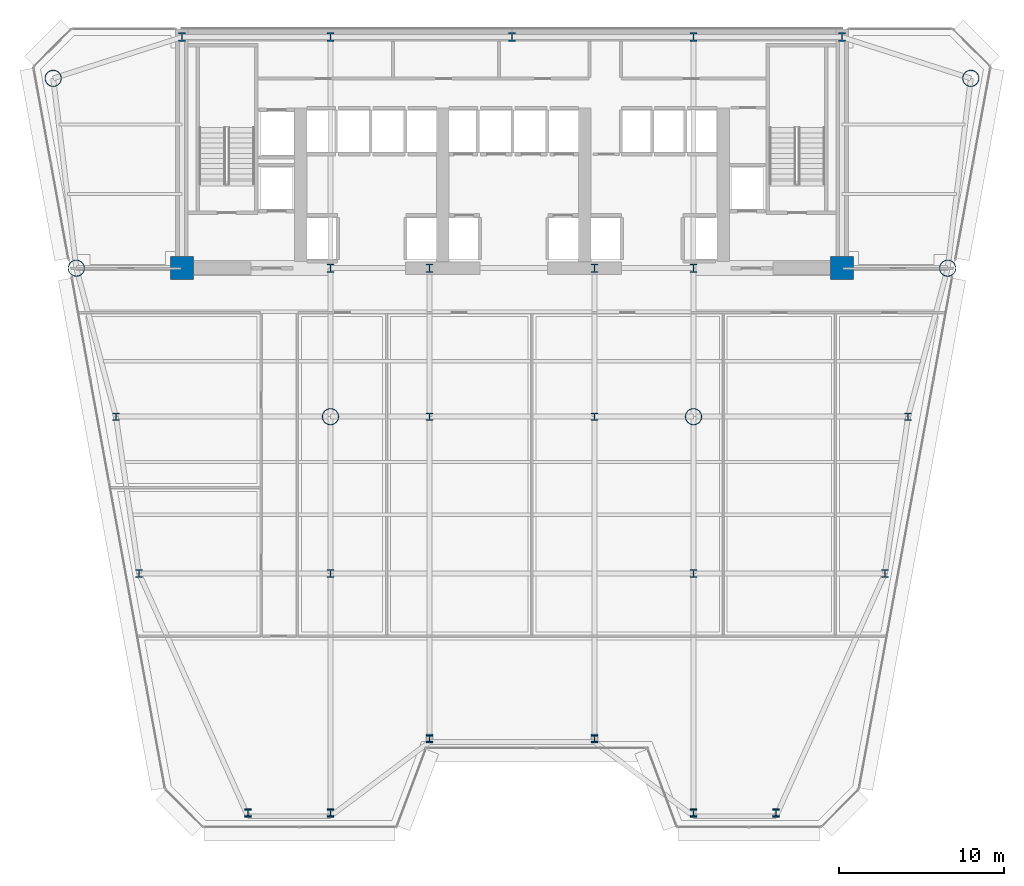
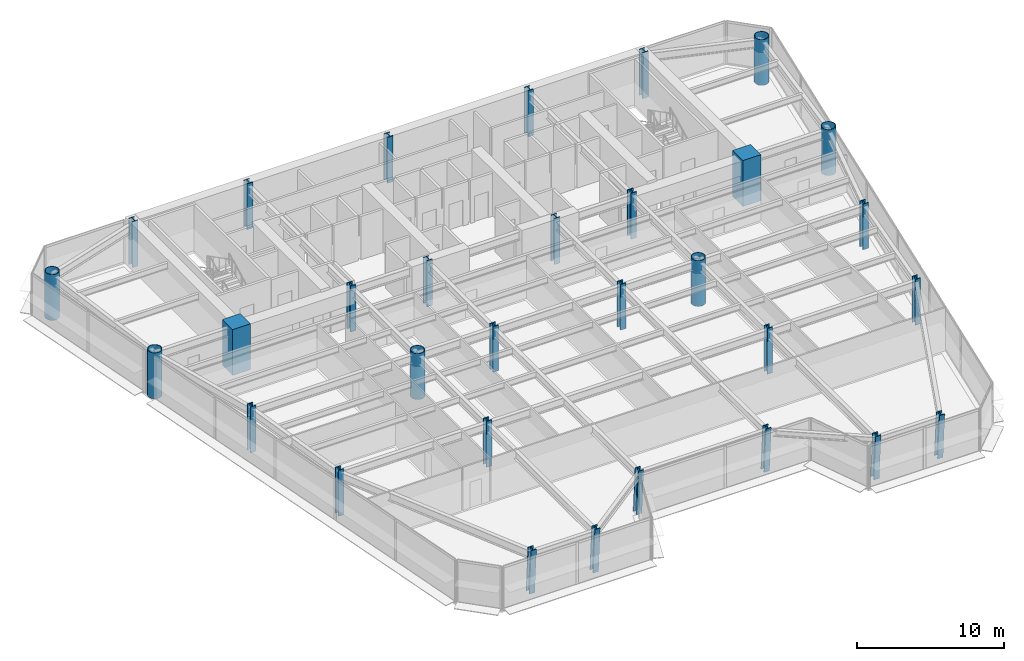
# One storey, part 1 of 15: 31 columns.
"""IFC4 building model written with IfcOpenShell, lengths in metres."""

from ifc_helpers import new_model, si_unit, direction, frame, origin, origin_2d, place, context, subcontext, project, spatial, rectangle, hollow_circle, i_section, extrude, source, transform, mapped, material, material_profile, profile_set, type_object, element, save


model = new_model("IFC4")

# Units and contexts
model_context = context("Model", 3, precision=1e-05, world=origin(), true_north=direction((0.0, 1.0)))
body_context = subcontext(model_context, "Body", "Model", "MODEL_VIEW")
ifc_project = project(units=[si_unit("LENGTHUNIT", "METRE"), si_unit("AREAUNIT", "SQUARE_METRE"), si_unit("VOLUMEUNIT", "CUBIC_METRE"), si_unit("PLANEANGLEUNIT", "RADIAN"), si_unit("MASSUNIT", "GRAM", prefix="KILO")], contexts=[model_context])

# Site, building, storey
site_placement = place(None, origin())
site = spatial("IfcSite", under=ifc_project, at=site_placement, CompositionType="ELEMENT")
building_placement = place(site_placement, origin())
building = spatial("IfcBuilding", under=site, at=building_placement, Name="Vaeldorn Concourse Tower", CompositionType="ELEMENT")
storey_placement = place(building_placement, frame((0.0, 0.0, 103.39990234375)))
storey = spatial("IfcBuildingStorey", under=building, at=storey_placement, Name="L26", CompositionType="ELEMENT", Elevation=103.39990234375)

# Columns
ifc_material_1 = material(Name="Concrete C60/75", Category="concrete")
ifc_material_profile_1 = material_profile(ifc_material_1, rectangle(XDim=1.39990234375, YDim=1.39990234375, at=origin_2d()), Name="RC 1400x1400")
ifc_profile_set_1 = profile_set([ifc_material_profile_1], Name="Concrete C60/75")
column_type_1 = type_object("IfcColumnType", Name="COL-RC1400", PredefinedType="COLUMN", material=ifc_profile_set_1)
shared_shape_1 = source(origin(), body_context, "Body", "SweptSolid", [
    extrude(rectangle(XDim=1.39990234375, YDim=1.39990234375, at=origin_2d()), origin(), (0.0, 0.0, 1.0), 3.800048828125),
])
for number, where, z_axis, x_axis, name in (
    (1, (14.0, 36.5, 0.0), (0.0, 0.0, 1.0), (1.0, 0.0, 0.0), "Column C-FC1 L26"),
    (2, (54.0, 36.5, 0.0), (0.0, 0.0, 1.0), (1.0, 0.0, 0.0), "Column C-FC6 L26"),
):
    element("IfcColumn", number, at=place(storey_placement, frame(where, z_axis=z_axis, x_axis=x_axis)), inside=storey, type_object=column_type_1, Name=name, PredefinedType="COLUMN", context=body_context, shape_type="MappedRepresentation", body=[
        mapped(shared_shape_1, transform((0.0, 0.0, 0.0), scale=1.0)),
    ])
ifc_material_2 = material(Name="Steel S460", Category="steel")
ifc_material_profile_2 = material_profile(ifc_material_2, i_section(OverallWidth=0.44189453125, OverallDepth=0.531005859375, WebThickness=0.06494140625, FlangeThickness=0.075927734375, FilletRadius=0.014892578125, at=origin_2d()), Name="HD 400x900")
ifc_profile_set_2 = profile_set([ifc_material_profile_2], Name="Steel S460")
column_type_2 = type_object("IfcColumnType", Name="COL-HD900", PredefinedType="COLUMN", material=ifc_profile_set_2)
shared_shape_2 = source(origin(), body_context, "Body", "SweptSolid", [
    extrude(i_section(OverallWidth=0.44189453125, OverallDepth=0.531005859375, WebThickness=0.06494140625, FlangeThickness=0.075927734375, FilletRadius=0.014892578125, at=origin_2d()), origin(), (0.0, 0.0, 1.0), 3.800048828125),
])
for number, where, z_axis, x_axis, name in (
    (3, (23.0, 36.5, 0.0), (0.0, 0.0, 1.0), (1.0, 0.0, 0.0), "Column C-FC2 L26"),
    (4, (29.0, 36.5, 0.0), (0.0, 0.0, 1.0), (1.0, 0.0, 0.0), "Column C-FC3 L26"),
    (5, (39.0, 36.5, 0.0), (0.0, 0.0, 1.0), (1.0, 0.0, 0.0), "Column C-FC4 L26"),
    (6, (45.0, 36.5, 0.0), (0.0, 0.0, 1.0), (1.0, 0.0, 0.0), "Column C-FC5 L26"),
    (7, (14.0, 50.5, 0.0), (0.0, 0.0, 1.0), (1.0, 0.0, 0.0), "Column C-HC1 L26"),
    (8, (23.0, 50.5, 0.0), (0.0, 0.0, 1.0), (1.0, 0.0, 0.0), "Column C-HC2 L26"),
    (9, (34.0, 50.5, 0.0), (0.0, 0.0, 1.0), (1.0, 0.0, 0.0), "Column C-HC3 L26"),
    (10, (45.0, 50.5, 0.0), (0.0, 0.0, 1.0), (1.0, 0.0, 0.0), "Column C-HC4 L26"),
    (11, (54.0, 50.5, 0.0), (0.0, 0.0, 1.0), (1.0, 0.0, 0.0), "Column C-HC5 L26"),
):
    element("IfcColumn", number, at=place(storey_placement, frame(where, z_axis=z_axis, x_axis=x_axis)), inside=storey, type_object=column_type_2, Name=name, PredefinedType="COLUMN", context=body_context, shape_type="MappedRepresentation", body=[
        mapped(shared_shape_2, transform((0.0, 0.0, 0.0), scale=1.0)),
    ])
ifc_material_profile_3 = material_profile(ifc_material_2, hollow_circle(Radius=0.508056640625, WallThickness=0.044921875, at=origin_2d()), Name="CHS 1016x45")
ifc_profile_set_3 = profile_set([ifc_material_profile_3], Name="Steel S460")
column_type_3 = type_object("IfcColumnType", Name="COL-CHS1016", PredefinedType="COLUMN", material=ifc_profile_set_3)
shared_shape_3 = source(origin(), body_context, "Body", "SweptSolid", [
    extrude(hollow_circle(Radius=0.508056640625, WallThickness=0.044921875, at=origin_2d()), origin(), (0.0, 0.0, 1.0), 3.800048828125),
])
for number, where, z_axis, x_axis, name in (
    (12, (6.199951171875, 48.0, 0.0), (0.0, 0.0, 1.0), (1.0, 0.0, 0.0), "Column C-NW1 L26"),
    (13, (7.60009765625, 36.5, 0.0), (0.0, 0.0, 1.0), (1.0, 0.0, 0.0), "Column C-NW2 L26"),
    (14, (61.800048828125, 48.0, 0.0), (0.0, 0.0, 1.0), (1.0, 0.0, 0.0), "Column C-NE1 L26"),
    (15, (60.39990234375, 36.5, 0.0), (0.0, 0.0, 1.0), (1.0, 0.0, 0.0), "Column C-NE2 L26"),
    (16, (23.0, 27.5, 0.0), (0.0, 0.0, 1.0), (1.0, 0.0, 0.0), "Column C-TW1 L26"),
    (17, (45.0, 27.5, 0.0), (0.0, 0.0, 1.0), (1.0, 0.0, 0.0), "Column C-TW4 L26"),
):
    element("IfcColumn", number, at=place(storey_placement, frame(where, z_axis=z_axis, x_axis=x_axis)), inside=storey, type_object=column_type_3, Name=name, PredefinedType="COLUMN", context=body_context, shape_type="MappedRepresentation", body=[
        mapped(shared_shape_3, transform((0.0, 0.0, 0.0), scale=1.0)),
    ])
ifc_material_profile_4 = material_profile(ifc_material_2, i_section(OverallWidth=0.424072265625, OverallDepth=0.47412109375, WebThickness=0.047119140625, FlangeThickness=0.06494140625, FilletRadius=0.014892578125, at=origin_2d()), Name="HD 400x634")
ifc_profile_set_4 = profile_set([ifc_material_profile_4], Name="Steel S460")
column_type_4 = type_object("IfcColumnType", Name="COL-HD634F", PredefinedType="COLUMN", material=ifc_profile_set_4)
shared_shape_4 = source(origin(), body_context, "Body", "SweptSolid", [
    extrude(i_section(OverallWidth=0.424072265625, OverallDepth=0.47412109375, WebThickness=0.047119140625, FlangeThickness=0.06494140625, FilletRadius=0.014892578125, at=origin_2d()), origin(), (0.0, 0.0, 1.0), 3.800048828125),
])
for number, where, z_axis, x_axis, name in (
    (18, (10.0, 27.5, 0.0), (0.0, 0.0, 1.0), (1.0, 0.0, 0.0), "Column C-FLW1 L26"),
    (19, (11.39990234375, 18.0, 0.0), (0.0, 0.0, 1.0), (1.0, 0.0, 0.0), "Column C-FLW2 L26"),
    (20, (58.0, 27.5, 0.0), (0.0, 0.0, 1.0), (1.0, 0.0, 0.0), "Column C-FLE1 L26"),
    (21, (56.60009765625, 18.0, 0.0), (0.0, 0.0, 1.0), (1.0, 0.0, 0.0), "Column C-FLE2 L26"),
):
    element("IfcColumn", number, at=place(storey_placement, frame(where, z_axis=z_axis, x_axis=x_axis)), inside=storey, type_object=column_type_4, Name=name, PredefinedType="COLUMN", context=body_context, shape_type="MappedRepresentation", body=[
        mapped(shared_shape_4, transform((0.0, 0.0, 0.0), scale=1.0)),
    ])
ifc_material_profile_5 = material_profile(ifc_material_2, i_section(OverallWidth=0.424072265625, OverallDepth=0.47412109375, WebThickness=0.047119140625, FlangeThickness=0.06494140625, FilletRadius=0.014892578125, at=origin_2d()), Name="HD 400x634")
ifc_profile_set_5 = profile_set([ifc_material_profile_5], Name="Steel S460")
column_type_5 = type_object("IfcColumnType", Name="COL-HD634T", PredefinedType="COLUMN", material=ifc_profile_set_5)
shared_shape_5 = source(origin(), body_context, "Body", "SweptSolid", [
    extrude(i_section(OverallWidth=0.424072265625, OverallDepth=0.47412109375, WebThickness=0.047119140625, FlangeThickness=0.06494140625, FilletRadius=0.014892578125, at=origin_2d()), origin(), (0.0, 0.0, 1.0), 3.800048828125),
])
for number, where, z_axis, x_axis, name in (
    (22, (29.0, 27.5, 0.0), (0.0, 0.0, 1.0), (1.0, 0.0, 0.0), "Column C-TW2 L26"),
    (23, (39.0, 27.5, 0.0), (0.0, 0.0, 1.0), (1.0, 0.0, 0.0), "Column C-TW3 L26"),
    (24, (23.0, 18.0, 0.0), (0.0, 0.0, 1.0), (1.0, 0.0, 0.0), "Column C-TW5 L26"),
    (25, (45.0, 18.0, 0.0), (0.0, 0.0, 1.0), (1.0, 0.0, 0.0), "Column C-TW6 L26"),
):
    element("IfcColumn", number, at=place(storey_placement, frame(where, z_axis=z_axis, x_axis=x_axis)), inside=storey, type_object=column_type_5, Name=name, PredefinedType="COLUMN", context=body_context, shape_type="MappedRepresentation", body=[
        mapped(shared_shape_5, transform((0.0, 0.0, 0.0), scale=1.0)),
    ])
shared_shape_6 = source(origin(), body_context, "Body", "SweptSolid", [
    extrude(i_section(OverallWidth=0.424072265625, OverallDepth=0.47412109375, WebThickness=0.047119140625, FlangeThickness=0.06494140625, FilletRadius=0.014892578125, at=origin_2d()), origin(), (0.0, 0.0, 1.0), 3.74365234375),
])
for number, where, z_axis, x_axis, name in (
    (26, (18.0, 3.52978515625, 0.031982421875), (0.0, -0.063843869911, 0.997959899132), (1.0, 0.0, 0.0), "Column C-SF1 L26"),
    (27, (23.0, 3.52978515625, 0.031982421875), (0.0, -0.063843869911, 0.997959899132), (1.0, 0.0, 0.0), "Column C-SF2 L26"),
    (28, (29.0, 8.02978515625, 0.031982421875), (0.0, -0.063843869911, 0.997959899132), (1.0, 0.0, 0.0), "Column C-SF3 L26"),
    (29, (39.0, 8.02978515625, 0.031982421875), (0.0, -0.063843869911, 0.997959899132), (1.0, 0.0, 0.0), "Column C-SF4 L26"),
    (30, (45.0, 3.52978515625, 0.031982421875), (0.0, -0.063843869911, 0.997959899132), (1.0, 0.0, 0.0), "Column C-SF5 L26"),
    (31, (50.0, 3.52978515625, 0.031982421875), (0.0, -0.063843869911, 0.997959899132), (1.0, 0.0, 0.0), "Column C-SF6 L26"),
):
    element("IfcColumn", number, at=place(storey_placement, frame(where, z_axis=z_axis, x_axis=x_axis)), inside=storey, type_object=column_type_5, Name=name, PredefinedType="COLUMN", context=body_context, shape_type="MappedRepresentation", body=[
        mapped(shared_shape_6, transform((0.0, 0.0, 0.0), scale=1.0)),
    ])

save(model, "model.ifc")
